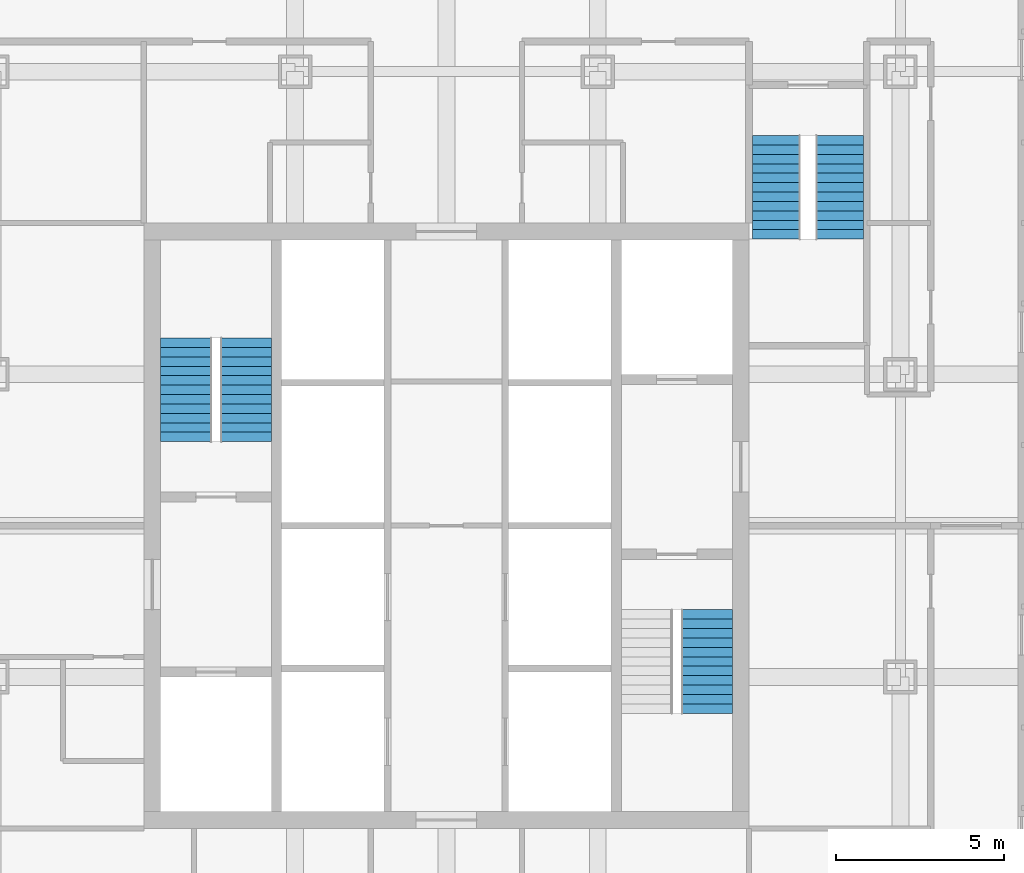
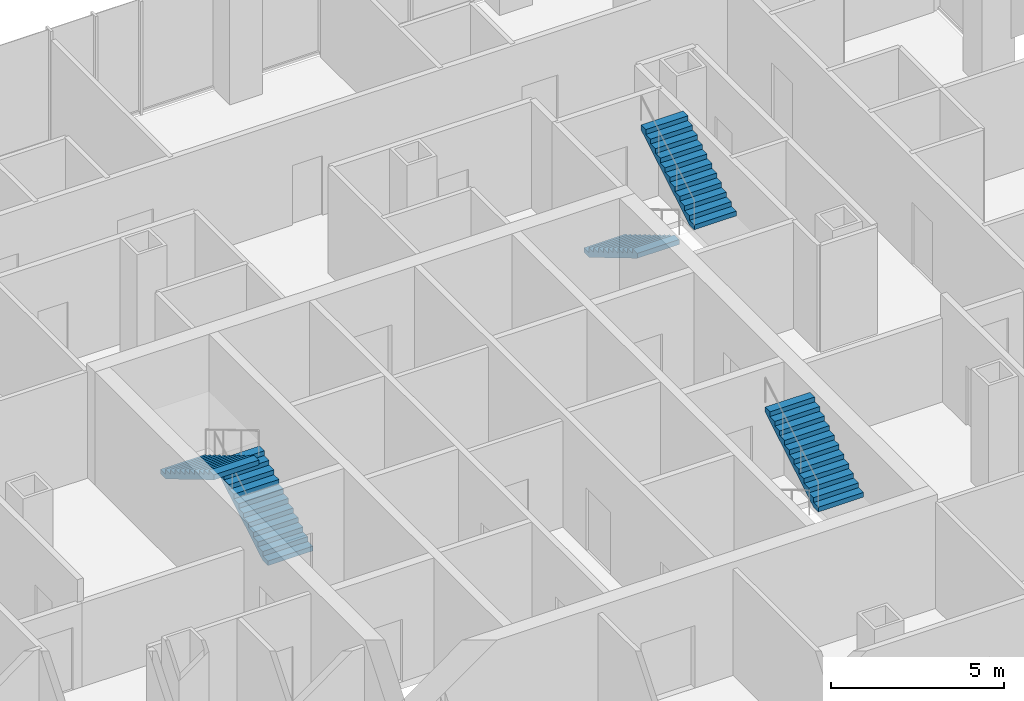
# One storey, part 13 of 16: 5 stair flights, 3 elements without a shape of their own.
"""IFC4 building model written with IfcOpenShell, lengths in metres."""

from ifc_helpers import new_model, si_unit, direction, frame, origin, place, context, subcontext, project, spatial, polyline, outline, extrude, material, type_object, element, aggregate, save


model = new_model("IFC4")

# Units and contexts
model_context = context("Model", 3, precision=1e-05, world=origin(), true_north=direction((0.0, 1.0)))
body_context = subcontext(model_context, "Body", "Model", "MODEL_VIEW")
ifc_project = project(units=[si_unit("LENGTHUNIT", "METRE"), si_unit("AREAUNIT", "SQUARE_METRE"), si_unit("VOLUMEUNIT", "CUBIC_METRE"), si_unit("PLANEANGLEUNIT", "RADIAN"), si_unit("MASSUNIT", "GRAM", prefix="KILO")], contexts=[model_context])

# Site, building, storey
site_placement = place(None, origin())
site = spatial("IfcSite", under=ifc_project, at=site_placement, CompositionType="ELEMENT")
building_placement = place(site_placement, origin())
building = spatial("IfcBuilding", under=site, at=building_placement, Name="Malebo Sky Hospital", CompositionType="ELEMENT")
storey_placement = place(building_placement, frame((0.0, 0.0, 108.0)))
storey = spatial("IfcBuildingStorey", under=building, at=storey_placement, Name="L25", CompositionType="ELEMENT", Elevation=108.0)

# Stair, stair flights
ifc_material = material(Name="Concrete C40/50", Category="concrete")
stair_type_1 = type_object("IfcStairType", Name="HALF-TURN STAIR 1400 R167", PredefinedType="HALF_TURN_STAIR", material=ifc_material)
stair_1_placement = place(storey_placement, origin())
stair_1 = element("IfcStair", 1, at=stair_1_placement, inside=storey, type_object=stair_type_1, Name="Stair S3 L25 type ST1B", PredefinedType="HALF_TURN_STAIR")
stair_flight_type_1 = type_object("IfcStairFlightType", Name="STAIR FLIGHT 1400 R167", PredefinedType="STRAIGHT", material=ifc_material)
stair_flight_1_placement = place(storey_placement, frame((69.800048828125, 73.60009765625, 0.0), z_axis=(0.0, 0.0, 1.0), x_axis=(0.0, -1.0, 0.0)))
stair_flight_1 = element("IfcStairFlight", 2, at=stair_flight_1_placement, type_object=stair_flight_type_1, Name="S3 flight 1 type SF1B", NumberOfRisers=12, NumberOfTreads=11, PredefinedType="STRAIGHT", RiserHeight=0.166666667, TreadLength=0.28, context=body_context, shape_type="SweptSolid", body=[
    extrude(outline(polyline([(0.0, 0.0), (0.0, 0.166748046875), (0.280029296875, 0.166748046875), (0.280029296875, 0.333251953125), (0.56005859375, 0.333251953125), (0.56005859375, 0.5), (0.840087890625, 0.5), (0.840087890625, 0.666748046875), (1.1201171875, 0.666748046875), (1.1201171875, 0.833251953125), (1.39990234375, 0.833251953125), (1.39990234375, 1.0), (1.679931640625, 1.0), (1.679931640625, 1.166748046875), (1.9599609375, 1.166748046875), (1.9599609375, 1.333251953125), (2.239990234375, 1.333251953125), (2.239990234375, 1.5), (2.52001953125, 1.5), (2.52001953125, 1.666748046875), (2.800048828125, 1.666748046875), (2.800048828125, 1.833251953125), (3.080078125, 1.833251953125), (3.080078125, 2.0), (3.080078125, 1.658935546875), (0.29296875, 0.0), (0.0, 0.0)])), frame((0.0, 0.699951171875, 0.0), z_axis=(0.0, -1.0, 0.0), x_axis=(1.0, 0.0, 0.0)), (0.0, 0.0, 1.0), 1.39990234375),
])
stair_flight_2_placement = place(storey_placement, frame((71.699951171875, 70.52001953125, 2.0), z_axis=(0.0, 0.0, 1.0), x_axis=(0.0, 1.0, 0.0)))
stair_flight_2 = element("IfcStairFlight", 3, at=stair_flight_2_placement, type_object=stair_flight_type_1, Name="S3 flight 2 type SF1B", NumberOfRisers=12, NumberOfTreads=11, PredefinedType="STRAIGHT", RiserHeight=0.166666667, TreadLength=0.28, context=body_context, shape_type="SweptSolid", body=[
    extrude(outline(polyline([(0.0, 0.0), (0.0, 0.166748046875), (0.280029296875, 0.166748046875), (0.280029296875, 0.333251953125), (0.56005859375, 0.333251953125), (0.56005859375, 0.5), (0.840087890625, 0.5), (0.840087890625, 0.666748046875), (1.1201171875, 0.666748046875), (1.1201171875, 0.833251953125), (1.39990234375, 0.833251953125), (1.39990234375, 1.0), (1.679931640625, 1.0), (1.679931640625, 1.166748046875), (1.9599609375, 1.166748046875), (1.9599609375, 1.333251953125), (2.239990234375, 1.333251953125), (2.239990234375, 1.5), (2.52001953125, 1.5), (2.52001953125, 1.666748046875), (2.800048828125, 1.666748046875), (2.800048828125, 1.833251953125), (3.080078125, 1.833251953125), (3.080078125, 2.0), (3.080078125, 1.658935546875), (0.29296875, 0.0), (0.0, 0.0)])), frame((0.0, 0.699951171875, 0.0), z_axis=(0.0, -1.0, 0.0), x_axis=(1.0, 0.0, 0.0)), (0.0, 0.0, 1.0), 1.39990234375),
])
aggregate(stair_1, [stair_flight_1, stair_flight_2])

stair_type_2 = type_object("IfcStairType", Name="HALF-TURN STAIR 1500 R167", PredefinedType="HALF_TURN_STAIR", material=ifc_material)
stair_2_placement = place(storey_placement, origin())
stair_2 = element("IfcStair", 4, at=stair_2_placement, inside=storey, type_object=stair_type_2, Name="Stair S1 L25 type ST1", PredefinedType="HALF_TURN_STAIR")
stair_flight_type_2 = type_object("IfcStairFlightType", Name="STAIR FLIGHT 1500 R167", PredefinedType="STRAIGHT", material=ifc_material)
stair_flight_3_placement = place(storey_placement, frame((54.050048828125, 64.5, 0.0), z_axis=(0.0, 0.0, 1.0), x_axis=(0.0, 1.0, 0.0)))
stair_flight_3 = element("IfcStairFlight", 5, at=stair_flight_3_placement, type_object=stair_flight_type_2, Name="S1 flight 1 type SF1", NumberOfRisers=12, NumberOfTreads=11, PredefinedType="STRAIGHT", RiserHeight=0.166666667, TreadLength=0.28, context=body_context, shape_type="SweptSolid", body=[
    extrude(outline(polyline([(0.0, 0.0), (0.0, 0.166748046875), (0.280029296875, 0.166748046875), (0.280029296875, 0.333251953125), (0.56005859375, 0.333251953125), (0.56005859375, 0.5), (0.840087890625, 0.5), (0.840087890625, 0.666748046875), (1.1201171875, 0.666748046875), (1.1201171875, 0.833251953125), (1.39990234375, 0.833251953125), (1.39990234375, 1.0), (1.679931640625, 1.0), (1.679931640625, 1.166748046875), (1.9599609375, 1.166748046875), (1.9599609375, 1.333251953125), (2.239990234375, 1.333251953125), (2.239990234375, 1.5), (2.52001953125, 1.5), (2.52001953125, 1.666748046875), (2.800048828125, 1.666748046875), (2.800048828125, 1.833251953125), (3.080078125, 1.833251953125), (3.080078125, 2.0), (3.080078125, 1.658935546875), (0.29296875, 0.0), (0.0, 0.0)])), frame((0.0, 0.75, 0.0), z_axis=(0.0, -1.0, 0.0), x_axis=(1.0, 0.0, 0.0)), (0.0, 0.0, 1.0), 1.5),
])
stair_flight_4_placement = place(storey_placement, frame((52.25, 67.580078125, 2.0), z_axis=(0.0, 0.0, 1.0), x_axis=(0.0, -1.0, 0.0)))
stair_flight_4 = element("IfcStairFlight", 6, at=stair_flight_4_placement, type_object=stair_flight_type_2, Name="S1 flight 2 type SF1", NumberOfRisers=12, NumberOfTreads=11, PredefinedType="STRAIGHT", RiserHeight=0.166666667, TreadLength=0.28, context=body_context, shape_type="SweptSolid", body=[
    extrude(outline(polyline([(0.0, 0.0), (0.0, 0.166748046875), (0.280029296875, 0.166748046875), (0.280029296875, 0.333251953125), (0.56005859375, 0.333251953125), (0.56005859375, 0.5), (0.840087890625, 0.5), (0.840087890625, 0.666748046875), (1.1201171875, 0.666748046875), (1.1201171875, 0.833251953125), (1.39990234375, 0.833251953125), (1.39990234375, 1.0), (1.679931640625, 1.0), (1.679931640625, 1.166748046875), (1.9599609375, 1.166748046875), (1.9599609375, 1.333251953125), (2.239990234375, 1.333251953125), (2.239990234375, 1.5), (2.52001953125, 1.5), (2.52001953125, 1.666748046875), (2.800048828125, 1.666748046875), (2.800048828125, 1.833251953125), (3.080078125, 1.833251953125), (3.080078125, 2.0), (3.080078125, 1.658935546875), (0.29296875, 0.0), (0.0, 0.0)])), frame((0.0, 0.75, 0.0), z_axis=(0.0, -1.0, 0.0), x_axis=(1.0, 0.0, 0.0)), (0.0, 0.0, 1.0), 1.5),
])
aggregate(stair_2, [stair_flight_3, stair_flight_4])

# Stair, stair flight
stair_3_placement = place(storey_placement, origin())
stair_3 = element("IfcStair", 7, at=stair_3_placement, inside=storey, type_object=stair_type_2, Name="Stair S2 L25 type ST1", PredefinedType="HALF_TURN_STAIR")
stair_flight_5_placement = place(storey_placement, frame((67.75, 56.419921875, 2.0), z_axis=(0.0, 0.0, 1.0), x_axis=(0.0, 1.0, 0.0)))
stair_flight_5 = element("IfcStairFlight", 8, at=stair_flight_5_placement, type_object=stair_flight_type_2, Name="S2 flight 2 type SF1", NumberOfRisers=12, NumberOfTreads=11, PredefinedType="STRAIGHT", RiserHeight=0.166666667, TreadLength=0.28, context=body_context, shape_type="SweptSolid", body=[
    extrude(outline(polyline([(0.0, 0.0), (0.0, 0.166748046875), (0.280029296875, 0.166748046875), (0.280029296875, 0.333251953125), (0.56005859375, 0.333251953125), (0.56005859375, 0.5), (0.840087890625, 0.5), (0.840087890625, 0.666748046875), (1.1201171875, 0.666748046875), (1.1201171875, 0.833251953125), (1.39990234375, 0.833251953125), (1.39990234375, 1.0), (1.679931640625, 1.0), (1.679931640625, 1.166748046875), (1.9599609375, 1.166748046875), (1.9599609375, 1.333251953125), (2.239990234375, 1.333251953125), (2.239990234375, 1.5), (2.52001953125, 1.5), (2.52001953125, 1.666748046875), (2.800048828125, 1.666748046875), (2.800048828125, 1.833251953125), (3.080078125, 1.833251953125), (3.080078125, 2.0), (3.080078125, 1.658935546875), (0.29296875, 0.0), (0.0, 0.0)])), frame((0.0, 0.75, 0.0), z_axis=(0.0, -1.0, 0.0), x_axis=(1.0, 0.0, 0.0)), (0.0, 0.0, 1.0), 1.5),
])
aggregate(stair_3, [stair_flight_5])

save(model, "model.ifc")
